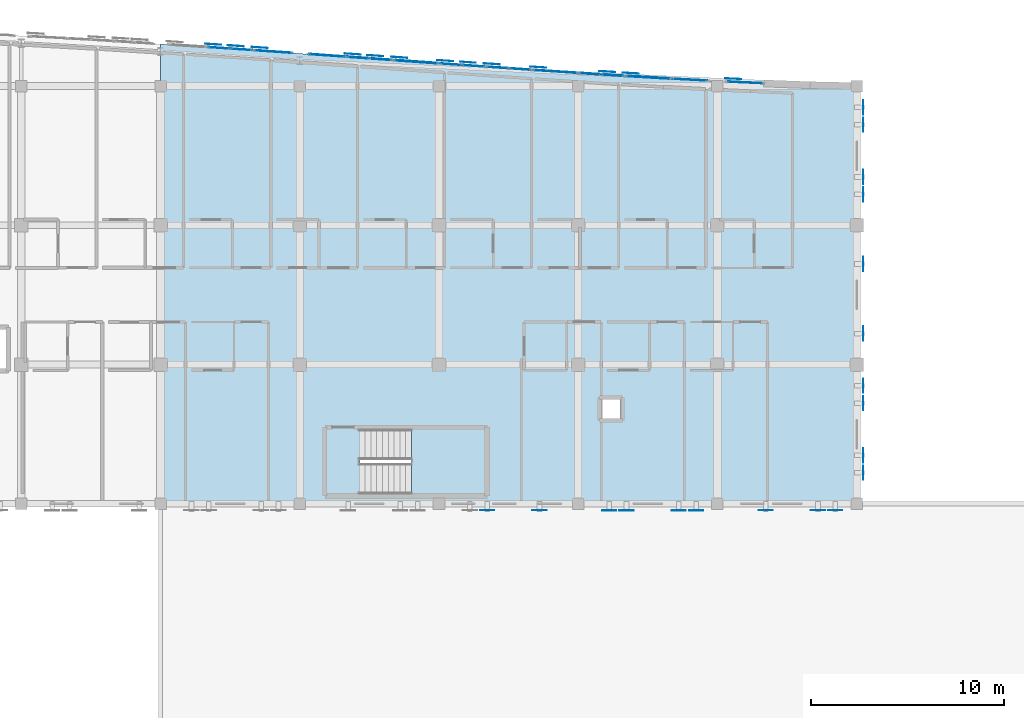
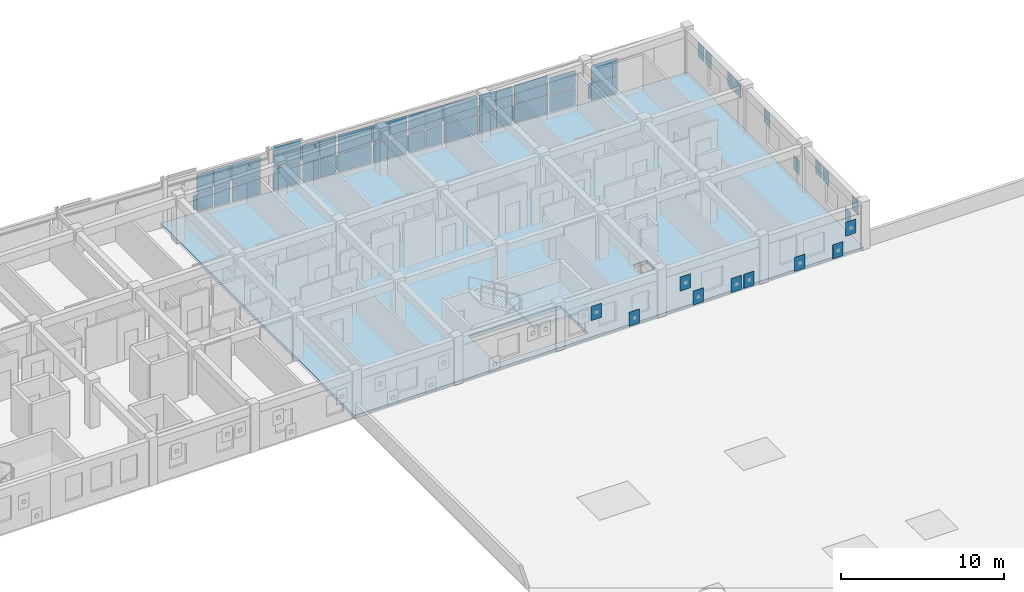
# One storey, part 36 of 50: 66 plates, 2 slabs, 13 elements without a shape of their own.
"""IFC4 building model written with IfcOpenShell, lengths in metres."""

from ifc_helpers import new_model, si_unit, direction, frame, origin, origin_2d, place, context, subcontext, project, spatial, polyline, rectangle, outline, extrude, material, layer, layer_set, type_object, element, aggregate, save


model = new_model("IFC4")

# Units and contexts
model_context = context("Model", 3, precision=1e-05, world=origin(), true_north=direction((0.0, 1.0)))
body_context = subcontext(model_context, "Body", "Model", "MODEL_VIEW")
ifc_project = project(units=[si_unit("LENGTHUNIT", "METRE"), si_unit("AREAUNIT", "SQUARE_METRE"), si_unit("VOLUMEUNIT", "CUBIC_METRE"), si_unit("PLANEANGLEUNIT", "RADIAN"), si_unit("MASSUNIT", "GRAM", prefix="KILO")], contexts=[model_context])

# Site, building, storey
site_placement = place(None, origin())
site = spatial("IfcSite", under=ifc_project, at=site_placement, CompositionType="ELEMENT")
building_placement = place(site_placement, origin())
building = spatial("IfcBuilding", under=site, at=building_placement, Name="Carrowvane Square Congress Hotel", CompositionType="ELEMENT")
storey_placement = place(building_placement, frame((0.0, 0.0, 22.800048828125)))
storey = spatial("IfcBuildingStorey", under=building, at=storey_placement, Name="L05", CompositionType="ELEMENT", Elevation=22.800048828125)

# Curtain wall, plates
ifc_material_1 = material(Name="Anodised aluminium", Category="aluminium")
ifc_layer_1 = layer(ifc_material_1, 0.174072265625)
ifc_layer_set_1 = layer_set([ifc_layer_1], Name="Anodised aluminium")
curtain_wall_type_1 = type_object("IfcCurtainWallType", Name="CW-SYS-2", PredefinedType="NOTDEFINED", material=ifc_layer_set_1)
curtain_wall_1_placement = place(storey_placement, origin())
curtain_wall_1 = element("IfcCurtainWall", 1, at=curtain_wall_1_placement, inside=storey, type_object=curtain_wall_type_1, Name="L05 unitised curtain wall 345", PredefinedType="NOTDEFINED")
ifc_material_2 = material(Name="Double-glazed low-E glass", Category="glass")
ifc_layer_2 = layer(ifc_material_2, 0.028076171875)
ifc_layer_set_2 = layer_set([ifc_layer_2], Name="Double-glazed low-E glass")
plate_type_1 = type_object("IfcPlateType", Name="CW-PAN-1", PredefinedType="CURTAIN_PANEL", material=ifc_layer_set_2)
plate_1_placement = place(storey_placement, frame((129.8173828125, 115.375, 0.06982421875), z_axis=(0.0, 0.0, 1.0), x_axis=(0.99769420292, -0.067869562107, 0.0)))
plate_1 = element("IfcPlate", 2, at=plate_1_placement, type_object=plate_type_1, Name="CW-2 panel 1.1", PredefinedType="CURTAIN_PANEL", context=body_context, shape_type="SweptSolid", body=[
    extrude(rectangle(XDim=1.09765625, YDim=0.028076171875, at=origin_2d()), origin(), (0.0, 0.0, 1.0), 1.35791015625),
])
plate_2_placement = place(storey_placement, frame((129.8173828125, 115.375, 1.497802734375), z_axis=(0.0, 0.0, 1.0), x_axis=(0.99769420292, -0.067869562107, 0.0)))
plate_2 = element("IfcPlate", 3, at=plate_2_placement, type_object=plate_type_1, Name="CW-2 panel 1.2", PredefinedType="CURTAIN_PANEL", context=body_context, shape_type="SweptSolid", body=[
    extrude(rectangle(XDim=1.09765625, YDim=0.028076171875, at=origin_2d()), origin(), (0.0, 0.0, 1.0), 1.35791015625),
])
plate_3_placement = place(storey_placement, frame((130.982421875, 115.295654296875, 0.06982421875), z_axis=(0.0, 0.0, 1.0), x_axis=(0.99769420292, -0.067869562107, 0.0)))
plate_3 = element("IfcPlate", 4, at=plate_3_placement, type_object=plate_type_1, Name="CW-2 panel 2.1", PredefinedType="CURTAIN_PANEL", context=body_context, shape_type="SweptSolid", body=[
    extrude(rectangle(XDim=1.09765625, YDim=0.028076171875, at=origin_2d()), origin(), (0.0, 0.0, 1.0), 1.35791015625),
])
plate_4_placement = place(storey_placement, frame((130.982421875, 115.295654296875, 1.497802734375), z_axis=(0.0, 0.0, 1.0), x_axis=(0.99769420292, -0.067869562107, 0.0)))
plate_4 = element("IfcPlate", 5, at=plate_4_placement, type_object=plate_type_1, Name="CW-2 panel 2.2", PredefinedType="CURTAIN_PANEL", context=body_context, shape_type="SweptSolid", body=[
    extrude(rectangle(XDim=1.09765625, YDim=0.028076171875, at=origin_2d()), origin(), (0.0, 0.0, 1.0), 1.35791015625),
])
aggregate(curtain_wall_1, [plate_1, plate_2, plate_3, plate_4])

ifc_material_3 = material(Name="Anodised aluminium", Category="aluminium")
ifc_layer_3 = layer(ifc_material_3, 0.23388671875)
ifc_layer_set_3 = layer_set([ifc_layer_3], Name="Anodised aluminium")
curtain_wall_type_2 = type_object("IfcCurtainWallType", Name="CW-SYS-7", PredefinedType="NOTDEFINED", material=ifc_layer_set_3)
curtain_wall_2_placement = place(storey_placement, origin())
curtain_wall_2 = element("IfcCurtainWall", 6, at=curtain_wall_2_placement, inside=storey, type_object=curtain_wall_type_2, Name="L05 unitised curtain wall 350", PredefinedType="NOTDEFINED")
plate_5_placement = place(storey_placement, frame((141.81494140625, 114.52783203125, 0.06005859375), z_axis=(0.0, 0.0, 1.0), x_axis=(0.997505697746, -0.070585996942, 0.0)))
plate_5 = element("IfcPlate", 7, at=plate_5_placement, type_object=plate_type_1, Name="CW-7 panel 1.1", PredefinedType="CURTAIN_PANEL", context=body_context, shape_type="SweptSolid", body=[
    extrude(rectangle(XDim=1.113037109375, YDim=0.028076171875, at=origin_2d()), origin(), (0.0, 0.0, 1.0), 1.372802734375),
])
plate_6_placement = place(storey_placement, frame((141.81494140625, 114.52783203125, 1.49267578125), z_axis=(0.0, 0.0, 1.0), x_axis=(0.997505697746, -0.070585996942, 0.0)))
plate_6 = element("IfcPlate", 8, at=plate_6_placement, type_object=plate_type_1, Name="CW-7 panel 1.2", PredefinedType="CURTAIN_PANEL", context=body_context, shape_type="SweptSolid", body=[
    extrude(rectangle(XDim=1.113037109375, YDim=0.028076171875, at=origin_2d()), origin(), (0.0, 0.0, 1.0), 1.372802734375),
])
plate_7_placement = place(storey_placement, frame((142.985107421875, 114.445068359375, 0.06005859375), z_axis=(0.0, 0.0, 1.0), x_axis=(0.997505697746, -0.070585996942, 0.0)))
plate_7 = element("IfcPlate", 9, at=plate_7_placement, type_object=plate_type_1, Name="CW-7 panel 2.1", PredefinedType="CURTAIN_PANEL", context=body_context, shape_type="SweptSolid", body=[
    extrude(rectangle(XDim=1.113037109375, YDim=0.028076171875, at=origin_2d()), origin(), (0.0, 0.0, 1.0), 1.372802734375),
])
plate_8_placement = place(storey_placement, frame((142.985107421875, 114.445068359375, 1.49267578125), z_axis=(0.0, 0.0, 1.0), x_axis=(0.997505697746, -0.070585996942, 0.0)))
plate_8 = element("IfcPlate", 10, at=plate_8_placement, type_object=plate_type_1, Name="CW-7 panel 2.2", PredefinedType="CURTAIN_PANEL", context=body_context, shape_type="SweptSolid", body=[
    extrude(rectangle(XDim=1.113037109375, YDim=0.028076171875, at=origin_2d()), origin(), (0.0, 0.0, 1.0), 1.372802734375),
])
aggregate(curtain_wall_2, [plate_5, plate_6, plate_7, plate_8])

ifc_material_4 = material(Name="Anodised aluminium", Category="aluminium")
ifc_layer_4 = layer(ifc_material_4, 0.197998046875)
ifc_layer_set_4 = layer_set([ifc_layer_4], Name="Anodised aluminium")
curtain_wall_type_3 = type_object("IfcCurtainWallType", Name="CW-SYS-4", PredefinedType="NOTDEFINED", material=ifc_layer_set_4)
curtain_wall_3_placement = place(storey_placement, origin())
curtain_wall_3 = element("IfcCurtainWall", 11, at=curtain_wall_3_placement, inside=storey, type_object=curtain_wall_type_3, Name="L05 unitised curtain wall 355", PredefinedType="NOTDEFINED")
plate_9_placement = place(storey_placement, frame((154.16845703125, 113.7294921875, 0.06982421875), z_axis=(0.0, 0.0, 1.0), x_axis=(0.998566981227, -0.053516203185, 0.0)))
plate_9 = element("IfcPlate", 12, at=plate_9_placement, type_object=plate_type_1, Name="CW-4 panel 1.1", PredefinedType="CURTAIN_PANEL", context=body_context, shape_type="SweptSolid", body=[
    extrude(rectangle(XDim=1.799560546875, YDim=0.028076171875, at=origin_2d()), origin(), (0.0, 0.0, 1.0), 1.262451171875),
])
plate_10_placement = place(storey_placement, frame((154.16845703125, 113.7294921875, 1.40234375), z_axis=(0.0, 0.0, 1.0), x_axis=(0.998566981227, -0.053516203185, 0.0)))
plate_10 = element("IfcPlate", 13, at=plate_10_placement, type_object=plate_type_1, Name="CW-4 panel 1.2", PredefinedType="CURTAIN_PANEL", context=body_context, shape_type="SweptSolid", body=[
    extrude(rectangle(XDim=1.799560546875, YDim=0.028076171875, at=origin_2d()), origin(), (0.0, 0.0, 1.0), 1.262451171875),
])
aggregate(curtain_wall_3, [plate_9, plate_10])

ifc_material_5 = material(Name="Anodised aluminium", Category="aluminium")
ifc_layer_5 = layer(ifc_material_5, 0.18603515625)
ifc_layer_set_5 = layer_set([ifc_layer_5], Name="Anodised aluminium")
curtain_wall_type_4 = type_object("IfcCurtainWallType", Name="CW-SYS-3", PredefinedType="NOTDEFINED", material=ifc_layer_set_5)
curtain_wall_4_placement = place(storey_placement, origin())
curtain_wall_4 = element("IfcCurtainWall", 14, at=curtain_wall_4_placement, inside=storey, type_object=curtain_wall_type_4, Name="L05 unitised curtain wall 346", PredefinedType="NOTDEFINED")
ifc_material_6 = material(Name="Double-glazed low-E glass", Category="glass")
ifc_layer_6 = layer(ifc_material_6, 0.031982421875)
ifc_layer_set_6 = layer_set([ifc_layer_6], Name="Double-glazed low-E glass")
plate_type_2 = type_object("IfcPlateType", Name="CW-PAN-2", PredefinedType="CURTAIN_PANEL", material=ifc_layer_set_6)
plate_11_placement = place(storey_placement, frame((132.621337890625, 115.182373046875, 0.06005859375), z_axis=(0.0, 0.0, 1.0), x_axis=(0.997566119277, -0.069726879118, 0.0)))
plate_11 = element("IfcPlate", 15, at=plate_11_placement, type_object=plate_type_2, Name="CW-3 panel 1.1", PredefinedType="CURTAIN_PANEL", context=body_context, shape_type="SweptSolid", body=[
    extrude(rectangle(XDim=1.927734375, YDim=0.031982421875, at=origin_2d()), origin(), (0.0, 0.0, 1.0), 1.372802734375),
])
plate_12_placement = place(storey_placement, frame((132.621337890625, 115.182373046875, 1.49267578125), z_axis=(0.0, 0.0, 1.0), x_axis=(0.997566119277, -0.069726879118, 0.0)))
plate_12 = element("IfcPlate", 16, at=plate_12_placement, type_object=plate_type_2, Name="CW-3 panel 1.2", PredefinedType="CURTAIN_PANEL", context=body_context, shape_type="SweptSolid", body=[
    extrude(rectangle(XDim=1.927734375, YDim=0.031982421875, at=origin_2d()), origin(), (0.0, 0.0, 1.0), 1.372802734375),
])
aggregate(curtain_wall_4, [plate_11, plate_12])

ifc_material_7 = material(Name="Anodised aluminium", Category="aluminium")
ifc_layer_7 = layer(ifc_material_7, 0.24609375)
ifc_layer_set_7 = layer_set([ifc_layer_7], Name="Anodised aluminium")
curtain_wall_type_5 = type_object("IfcCurtainWallType", Name="CW-SYS-8", PredefinedType="NOTDEFINED", material=ifc_layer_set_7)
curtain_wall_5_placement = place(storey_placement, origin())
curtain_wall_5 = element("IfcCurtainWall", 17, at=curtain_wall_5_placement, inside=storey, type_object=curtain_wall_type_5, Name="L05 unitised curtain wall 351", PredefinedType="NOTDEFINED")
plate_13_placement = place(storey_placement, frame((144.217529296875, 114.358642578125, 0.06982421875), z_axis=(0.0, 0.0, 1.0), x_axis=(0.997617619706, -0.068986120725, 0.0)))
plate_13 = element("IfcPlate", 18, at=plate_13_placement, type_object=plate_type_2, Name="CW-8 panel 1.1", PredefinedType="CURTAIN_PANEL", context=body_context, shape_type="SweptSolid", body=[
    extrude(rectangle(XDim=1.097900390625, YDim=0.031982421875, at=origin_2d()), origin(), (0.0, 0.0, 1.0), 1.35791015625),
])
plate_14_placement = place(storey_placement, frame((144.217529296875, 114.358642578125, 1.497802734375), z_axis=(0.0, 0.0, 1.0), x_axis=(0.997617619706, -0.068986120725, 0.0)))
plate_14 = element("IfcPlate", 19, at=plate_14_placement, type_object=plate_type_2, Name="CW-8 panel 1.2", PredefinedType="CURTAIN_PANEL", context=body_context, shape_type="SweptSolid", body=[
    extrude(rectangle(XDim=1.097900390625, YDim=0.031982421875, at=origin_2d()), origin(), (0.0, 0.0, 1.0), 1.35791015625),
])
plate_15_placement = place(storey_placement, frame((145.382568359375, 114.278076171875, 0.06982421875), z_axis=(0.0, 0.0, 1.0), x_axis=(0.997617619706, -0.068986120725, 0.0)))
plate_15 = element("IfcPlate", 20, at=plate_15_placement, type_object=plate_type_2, Name="CW-8 panel 2.1", PredefinedType="CURTAIN_PANEL", context=body_context, shape_type="SweptSolid", body=[
    extrude(rectangle(XDim=1.097900390625, YDim=0.031982421875, at=origin_2d()), origin(), (0.0, 0.0, 1.0), 1.35791015625),
])
plate_16_placement = place(storey_placement, frame((145.382568359375, 114.278076171875, 1.497802734375), z_axis=(0.0, 0.0, 1.0), x_axis=(0.997617619706, -0.068986120725, 0.0)))
plate_16 = element("IfcPlate", 21, at=plate_16_placement, type_object=plate_type_2, Name="CW-8 panel 2.2", PredefinedType="CURTAIN_PANEL", context=body_context, shape_type="SweptSolid", body=[
    extrude(rectangle(XDim=1.097900390625, YDim=0.031982421875, at=origin_2d()), origin(), (0.0, 0.0, 1.0), 1.35791015625),
])
aggregate(curtain_wall_5, [plate_13, plate_14, plate_15, plate_16])

ifc_material_8 = material(Name="Anodised aluminium", Category="aluminium")
ifc_layer_8 = layer(ifc_material_8, 0.2099609375)
ifc_layer_set_8 = layer_set([ifc_layer_8], Name="Anodised aluminium")
curtain_wall_type_6 = type_object("IfcCurtainWallType", Name="CW-SYS-5", PredefinedType="NOTDEFINED", material=ifc_layer_set_8)
curtain_wall_6_placement = place(storey_placement, origin())
curtain_wall_6 = element("IfcCurtainWall", 22, at=curtain_wall_6_placement, inside=storey, type_object=curtain_wall_type_6, Name="L05 unitised curtain wall 356", PredefinedType="NOTDEFINED")
plate_17_placement = place(storey_placement, frame((157.044189453125, 113.58544921875, 0.06005859375), z_axis=(0.0, 0.0, 1.0), x_axis=(0.998917263935, -0.046522035775, 0.0)))
plate_17 = element("IfcPlate", 23, at=plate_17_placement, type_object=plate_type_2, Name="CW-5 panel 1.1", PredefinedType="CURTAIN_PANEL", context=body_context, shape_type="SweptSolid", body=[
    extrude(rectangle(XDim=1.79345703125, YDim=0.031982421875, at=origin_2d()), origin(), (0.0, 0.0, 1.0), 1.277587890625),
])
plate_18_placement = place(storey_placement, frame((157.044189453125, 113.58544921875, 1.3974609375), z_axis=(0.0, 0.0, 1.0), x_axis=(0.998917263935, -0.046522035775, 0.0)))
plate_18 = element("IfcPlate", 24, at=plate_18_placement, type_object=plate_type_2, Name="CW-5 panel 1.2", PredefinedType="CURTAIN_PANEL", context=body_context, shape_type="SweptSolid", body=[
    extrude(rectangle(XDim=1.79345703125, YDim=0.031982421875, at=origin_2d()), origin(), (0.0, 0.0, 1.0), 1.277587890625),
])
aggregate(curtain_wall_6, [plate_17, plate_18])

curtain_wall_7_placement = place(storey_placement, origin())
curtain_wall_7 = element("IfcCurtainWall", 25, at=curtain_wall_7_placement, inside=storey, type_object=curtain_wall_type_3, Name="L05 unitised curtain wall 347", PredefinedType="NOTDEFINED")
ifc_material_9 = material(Name="Double-glazed low-E glass", Category="glass")
ifc_layer_9 = layer(ifc_material_9, 0.035888671875)
ifc_layer_set_9 = layer_set([ifc_layer_9], Name="Double-glazed low-E glass")
plate_type_3 = type_object("IfcPlateType", Name="CW-PAN-3", PredefinedType="CURTAIN_PANEL", material=ifc_layer_set_9)
plate_19_placement = place(storey_placement, frame((135.4052734375, 114.986083984375, 0.06982421875), z_axis=(0.0, 0.0, 1.0), x_axis=(0.997479171673, -0.070959862453, 0.0)))
plate_19 = element("IfcPlate", 26, at=plate_19_placement, type_object=plate_type_3, Name="CW-4 panel 1.1", PredefinedType="CURTAIN_PANEL", context=body_context, shape_type="SweptSolid", body=[
    extrude(rectangle(XDim=1.8544921875, YDim=0.035888671875, at=origin_2d()), origin(), (0.0, 0.0, 1.0), 1.570068359375),
])
plate_20_placement = place(storey_placement, frame((135.4052734375, 114.986083984375, 1.7099609375), z_axis=(0.0, 0.0, 1.0), x_axis=(0.997479171673, -0.070959862453, 0.0)))
plate_20 = element("IfcPlate", 27, at=plate_20_placement, type_object=plate_type_3, Name="CW-4 panel 1.2", PredefinedType="CURTAIN_PANEL", context=body_context, shape_type="SweptSolid", body=[
    extrude(rectangle(XDim=1.8544921875, YDim=0.035888671875, at=origin_2d()), origin(), (0.0, 0.0, 1.0), 1.570068359375),
])
aggregate(curtain_wall_7, [plate_19, plate_20])

ifc_material_10 = material(Name="Anodised aluminium", Category="aluminium")
ifc_layer_10 = layer(ifc_material_10, 0.162109375)
ifc_layer_set_10 = layer_set([ifc_layer_10], Name="Anodised aluminium")
curtain_wall_type_7 = type_object("IfcCurtainWallType", Name="CW-SYS-1", PredefinedType="NOTDEFINED", material=ifc_layer_set_10)
curtain_wall_8_placement = place(storey_placement, origin())
curtain_wall_8 = element("IfcCurtainWall", 28, at=curtain_wall_8_placement, inside=storey, type_object=curtain_wall_type_7, Name="L05 unitised curtain wall 352", PredefinedType="NOTDEFINED")
plate_21_placement = place(storey_placement, frame((147.199951171875, 114.155517578125, 0.06005859375), z_axis=(0.0, 0.0, 1.0), x_axis=(0.997781495544, -0.06657392244, 0.0)))
plate_21 = element("IfcPlate", 29, at=plate_21_placement, type_object=plate_type_3, Name="CW-1 panel 1.1", PredefinedType="CURTAIN_PANEL", context=body_context, shape_type="SweptSolid", body=[
    extrude(rectangle(XDim=2.285400390625, YDim=0.035888671875, at=origin_2d()), origin(), (0.0, 0.0, 1.0), 1.372802734375),
])
plate_22_placement = place(storey_placement, frame((147.199951171875, 114.155517578125, 1.49267578125), z_axis=(0.0, 0.0, 1.0), x_axis=(0.997781495544, -0.06657392244, 0.0)))
plate_22 = element("IfcPlate", 30, at=plate_22_placement, type_object=plate_type_3, Name="CW-1 panel 1.2", PredefinedType="CURTAIN_PANEL", context=body_context, shape_type="SweptSolid", body=[
    extrude(rectangle(XDim=2.285400390625, YDim=0.035888671875, at=origin_2d()), origin(), (0.0, 0.0, 1.0), 1.372802734375),
])
aggregate(curtain_wall_8, [plate_21, plate_22])

curtain_wall_9_placement = place(storey_placement, origin())
curtain_wall_9 = element("IfcCurtainWall", 31, at=curtain_wall_9_placement, inside=storey, type_object=curtain_wall_type_6, Name="L05 unitised curtain wall 348", PredefinedType="NOTDEFINED")
ifc_material_11 = material(Name="Double-glazed low-E glass", Category="glass")
ifc_layer_11 = layer(ifc_material_11, 0.0419921875)
ifc_layer_set_11 = layer_set([ifc_layer_11], Name="Double-glazed low-E glass")
plate_type_4 = type_object("IfcPlateType", Name="CW-PAN-4", PredefinedType="CURTAIN_PANEL", material=ifc_layer_set_11)
plate_23_placement = place(storey_placement, frame((137.014892578125, 114.87109375, 0.06005859375), z_axis=(0.0, 0.0, 1.0), x_axis=(0.997438322595, -0.071531759512, 0.0)))
plate_23 = element("IfcPlate", 32, at=plate_23_placement, type_object=plate_type_4, Name="CW-5 panel 1.1", PredefinedType="CURTAIN_PANEL", context=body_context, shape_type="SweptSolid", body=[
    extrude(rectangle(XDim=1.113037109375, YDim=0.0419921875, at=origin_2d()), origin(), (0.0, 0.0, 1.0), 1.372802734375),
])
plate_24_placement = place(storey_placement, frame((137.014892578125, 114.87109375, 1.49267578125), z_axis=(0.0, 0.0, 1.0), x_axis=(0.997438322595, -0.071531759512, 0.0)))
plate_24 = element("IfcPlate", 33, at=plate_24_placement, type_object=plate_type_4, Name="CW-5 panel 1.2", PredefinedType="CURTAIN_PANEL", context=body_context, shape_type="SweptSolid", body=[
    extrude(rectangle(XDim=1.113037109375, YDim=0.0419921875, at=origin_2d()), origin(), (0.0, 0.0, 1.0), 1.372802734375),
])
plate_25_placement = place(storey_placement, frame((138.18505859375, 114.787109375, 0.06005859375), z_axis=(0.0, 0.0, 1.0), x_axis=(0.997438322595, -0.071531759512, 0.0)))
plate_25 = element("IfcPlate", 34, at=plate_25_placement, type_object=plate_type_4, Name="CW-5 panel 2.1", PredefinedType="CURTAIN_PANEL", context=body_context, shape_type="SweptSolid", body=[
    extrude(rectangle(XDim=1.113037109375, YDim=0.0419921875, at=origin_2d()), origin(), (0.0, 0.0, 1.0), 1.372802734375),
])
plate_26_placement = place(storey_placement, frame((138.18505859375, 114.787109375, 1.49267578125), z_axis=(0.0, 0.0, 1.0), x_axis=(0.997438322595, -0.071531759512, 0.0)))
plate_26 = element("IfcPlate", 35, at=plate_26_placement, type_object=plate_type_4, Name="CW-5 panel 2.2", PredefinedType="CURTAIN_PANEL", context=body_context, shape_type="SweptSolid", body=[
    extrude(rectangle(XDim=1.113037109375, YDim=0.0419921875, at=origin_2d()), origin(), (0.0, 0.0, 1.0), 1.372802734375),
])
aggregate(curtain_wall_9, [plate_23, plate_24, plate_25, plate_26])

curtain_wall_10_placement = place(storey_placement, origin())
curtain_wall_10 = element("IfcCurtainWall", 36, at=curtain_wall_10_placement, inside=storey, type_object=curtain_wall_type_1, Name="L05 unitised curtain wall 353", PredefinedType="NOTDEFINED")
plate_27_placement = place(storey_placement, frame((149.017578125, 114.0361328125, 0.06982421875), z_axis=(0.0, 0.0, 1.0), x_axis=(0.997996225303, -0.063273487972, 0.0)))
plate_27 = element("IfcPlate", 37, at=plate_27_placement, type_object=plate_type_4, Name="CW-2 panel 1.1", PredefinedType="CURTAIN_PANEL", context=body_context, shape_type="SweptSolid", body=[
    extrude(rectangle(XDim=1.097412109375, YDim=0.0419921875, at=origin_2d()), origin(), (0.0, 0.0, 1.0), 1.35791015625),
])
plate_28_placement = place(storey_placement, frame((149.017578125, 114.0361328125, 1.497802734375), z_axis=(0.0, 0.0, 1.0), x_axis=(0.997996225303, -0.063273487972, 0.0)))
plate_28 = element("IfcPlate", 38, at=plate_28_placement, type_object=plate_type_4, Name="CW-2 panel 1.2", PredefinedType="CURTAIN_PANEL", context=body_context, shape_type="SweptSolid", body=[
    extrude(rectangle(XDim=1.097412109375, YDim=0.0419921875, at=origin_2d()), origin(), (0.0, 0.0, 1.0), 1.35791015625),
])
plate_29_placement = place(storey_placement, frame((150.1826171875, 113.96240234375, 0.06982421875), z_axis=(0.0, 0.0, 1.0), x_axis=(0.997996225303, -0.063273487972, 0.0)))
plate_29 = element("IfcPlate", 39, at=plate_29_placement, type_object=plate_type_4, Name="CW-2 panel 2.1", PredefinedType="CURTAIN_PANEL", context=body_context, shape_type="SweptSolid", body=[
    extrude(rectangle(XDim=1.097412109375, YDim=0.0419921875, at=origin_2d()), origin(), (0.0, 0.0, 1.0), 1.35791015625),
])
plate_30_placement = place(storey_placement, frame((150.1826171875, 113.96240234375, 1.497802734375), z_axis=(0.0, 0.0, 1.0), x_axis=(0.997996225303, -0.063273487972, 0.0)))
plate_30 = element("IfcPlate", 40, at=plate_30_placement, type_object=plate_type_4, Name="CW-2 panel 2.2", PredefinedType="CURTAIN_PANEL", context=body_context, shape_type="SweptSolid", body=[
    extrude(rectangle(XDim=1.097412109375, YDim=0.0419921875, at=origin_2d()), origin(), (0.0, 0.0, 1.0), 1.35791015625),
])
aggregate(curtain_wall_10, [plate_27, plate_28, plate_29, plate_30])

ifc_material_12 = material(Name="Anodised aluminium", Category="aluminium")
ifc_layer_12 = layer(ifc_material_12, 0.221923828125)
ifc_layer_set_12 = layer_set([ifc_layer_12], Name="Anodised aluminium")
curtain_wall_type_8 = type_object("IfcCurtainWallType", Name="CW-SYS-6", PredefinedType="NOTDEFINED", material=ifc_layer_set_12)
curtain_wall_11_placement = place(storey_placement, origin())
curtain_wall_11 = element("IfcCurtainWall", 41, at=curtain_wall_11_placement, inside=storey, type_object=curtain_wall_type_8, Name="L05 unitised curtain wall 349", PredefinedType="NOTDEFINED")
ifc_material_13 = material(Name="Double-glazed low-E glass", Category="glass")
ifc_layer_13 = layer(ifc_material_13, 0.048095703125)
ifc_layer_set_13 = layer_set([ifc_layer_13], Name="Double-glazed low-E glass")
plate_type_5 = type_object("IfcPlateType", Name="CW-PAN-5", PredefinedType="CURTAIN_PANEL", material=ifc_layer_set_13)
plate_31_placement = place(storey_placement, frame((140.0, 114.6572265625, 0.06982421875), z_axis=(0.0, 0.0, 1.0), x_axis=(0.997446152826, -0.071422490945, 0.0)))
plate_31 = element("IfcPlate", 42, at=plate_31_placement, type_object=plate_type_5, Name="CW-6 panel 1.1", PredefinedType="CURTAIN_PANEL", context=body_context, shape_type="SweptSolid", body=[
    extrude(rectangle(XDim=2.26611328125, YDim=0.048095703125, at=origin_2d()), origin(), (0.0, 0.0, 1.0), 1.35791015625),
])
plate_32_placement = place(storey_placement, frame((140.0, 114.6572265625, 1.497802734375), z_axis=(0.0, 0.0, 1.0), x_axis=(0.997446152826, -0.071422490945, 0.0)))
plate_32 = element("IfcPlate", 43, at=plate_32_placement, type_object=plate_type_5, Name="CW-6 panel 1.2", PredefinedType="CURTAIN_PANEL", context=body_context, shape_type="SweptSolid", body=[
    extrude(rectangle(XDim=2.26611328125, YDim=0.048095703125, at=origin_2d()), origin(), (0.0, 0.0, 1.0), 1.35791015625),
])
aggregate(curtain_wall_11, [plate_31, plate_32])

curtain_wall_12_placement = place(storey_placement, origin())
curtain_wall_12 = element("IfcCurtainWall", 44, at=curtain_wall_12_placement, inside=storey, type_object=curtain_wall_type_4, Name="L05 unitised curtain wall 354", PredefinedType="NOTDEFINED")
plate_33_placement = place(storey_placement, frame((152.0, 113.852294921875, 0.06005859375), z_axis=(0.0, 0.0, 1.0), x_axis=(0.99825866099, -0.058988522254, 0.0)))
plate_33 = element("IfcPlate", 45, at=plate_33_placement, type_object=plate_type_5, Name="CW-3 panel 1.1", PredefinedType="CURTAIN_PANEL", context=body_context, shape_type="SweptSolid", body=[
    extrude(rectangle(XDim=2.2841796875, YDim=0.048095703125, at=origin_2d()), origin(), (0.0, 0.0, 1.0), 1.372802734375),
])
plate_34_placement = place(storey_placement, frame((152.0, 113.852294921875, 1.49267578125), z_axis=(0.0, 0.0, 1.0), x_axis=(0.99825866099, -0.058988522254, 0.0)))
plate_34 = element("IfcPlate", 46, at=plate_34_placement, type_object=plate_type_5, Name="CW-3 panel 1.2", PredefinedType="CURTAIN_PANEL", context=body_context, shape_type="SweptSolid", body=[
    extrude(rectangle(XDim=2.2841796875, YDim=0.048095703125, at=origin_2d()), origin(), (0.0, 0.0, 1.0), 1.372802734375),
])
aggregate(curtain_wall_12, [plate_33, plate_34])

# Plates
ifc_material_14 = material(Name="Champagne-gold anodised aluminium", Category="aluminium")
ifc_layer_14 = layer(ifc_material_14, 0.011962890625)
ifc_layer_set_14 = layer_set([ifc_layer_14], Name="Champagne-gold anodised aluminium")
plate_type_6 = type_object("IfcPlateType", Name="PLT-PIX-GOLD12", PredefinedType="SHEET", material=ifc_layer_set_14)
for number, where, z_axis, x_axis, name in (
    (47, (129.535400390625, 115.560546875, 0.119873046875), (0.0, 0.0, 1.0), (0.9976944394, -0.067866085713, 0.0), "Champagne-gold pixel screen plate 435"),
    (48, (130.700439453125, 115.481201171875, 1.58984375), (0.0, 0.0, 1.0), (0.9976944394, -0.067866085713, 0.0), "Champagne-gold pixel screen plate 436"),
    (49, (139.1357421875, 114.885498046875, 0.119873046875), (0.0, 0.0, 1.0), (0.997446326449, -0.071420066188, 0.0), "Champagne-gold pixel screen plate 440"),
    (50, (143.935546875, 114.544677734375, 0.119873046875), (0.0, 0.0, 1.0), (0.99761759323, -0.068986503591, 0.0), "Champagne-gold pixel screen plate 443"),
    (51, (149.899658203125, 114.146484375, 1.58984375), (0.0, 0.0, 1.0), (0.997996022269, -0.063276690295, 0.0), "Champagne-gold pixel screen plate 445"),
):
    element("IfcPlate", number, at=place(storey_placement, frame(where, z_axis=z_axis, x_axis=x_axis)), inside=storey, type_object=plate_type_6, Name=name, PredefinedType="SHEET", context=body_context, shape_type="SweptSolid", body=[
        extrude(rectangle(XDim=0.827880859375, YDim=0.011962890625, at=origin_2d()), origin(), (0.0, 0.0, 1.0), 1.1201171875),
    ])
for number, where, z_axis, x_axis, name in (
    (52, (163.14599609375, 112.300048828125, 1.509765625), (0.0, 0.0, 1.0), (0.0, -1.0, 0.0), "Champagne-gold pixel screen plate S-448"),
    (53, (163.14599609375, 111.39990234375, 1.509765625), (0.0, 0.0, 1.0), (0.0, -1.0, 0.0), "Champagne-gold pixel screen plate S-449"),
    (54, (163.14599609375, 108.699951171875, 1.509765625), (0.0, 0.0, 1.0), (0.0, -1.0, 0.0), "Champagne-gold pixel screen plate S-450"),
    (55, (163.14599609375, 107.800048828125, 1.509765625), (0.0, 0.0, 1.0), (0.0, -1.0, 0.0), "Champagne-gold pixel screen plate S-451"),
    (56, (163.14599609375, 97.89990234375, 1.509765625), (0.0, 0.0, 1.0), (0.0, -1.0, 0.0), "Champagne-gold pixel screen plate S-454"),
    (57, (163.14599609375, 97.0, 1.509765625), (0.0, 0.0, 1.0), (0.0, -1.0, 0.0), "Champagne-gold pixel screen plate S-455"),
    (58, (163.14599609375, 94.300048828125, 0.15478515625), (0.0, 0.0, 1.0), (0.0, -1.0, 0.0), "Champagne-gold pixel screen plate S-456"),
    (59, (163.14599609375, 93.39990234375, 1.509765625), (0.0, 0.0, 1.0), (0.0, -1.0, 0.0), "Champagne-gold pixel screen plate S-457"),
    (60, (154.5, 91.4541015625, 0.15478515625), (0.0, 0.0, 1.0), (-1.0, 0.0, 0.0), "Champagne-gold pixel screen plate S-461"),
    (61, (153.60009765625, 91.4541015625, 0.15478515625), (0.0, 0.0, 1.0), (-1.0, 0.0, 0.0), "Champagne-gold pixel screen plate S-462"),
    (62, (150.89990234375, 91.4541015625, 0.15478515625), (0.0, 0.0, 1.0), (-1.0, 0.0, 0.0), "Champagne-gold pixel screen plate S-463"),
    (63, (150.0, 91.4541015625, 1.52490234375), (0.0, 0.0, 1.0), (-1.0, 0.0, 0.0), "Champagne-gold pixel screen plate S-464"),
):
    element("IfcPlate", number, at=place(storey_placement, frame(where, z_axis=z_axis, x_axis=x_axis)), inside=storey, type_object=plate_type_6, Name=name, PredefinedType="SHEET", context=body_context, shape_type="SweptSolid", body=[
        extrude(rectangle(XDim=0.738037109375, YDim=0.011962890625, at=origin_2d()), origin(), (0.0, 0.0, 1.0), 1.050048828125),
    ])
ifc_material_15 = material(Name="Champagne-gold anodised aluminium", Category="aluminium")
ifc_layer_15 = layer(ifc_material_15, 0.008056640625)
ifc_layer_set_15 = layer_set([ifc_layer_15], Name="Champagne-gold anodised aluminium")
plate_type_7 = type_object("IfcPlateType", Name="PLT-PIX-GOLD8", PredefinedType="SHEET", material=ifc_layer_set_15)
for number, where, z_axis, x_axis, name in (
    (64, (131.930419921875, 115.39501953125, 1.58984375), (0.0, 0.0, 1.0), (0.997566258056, -0.069724893606, 0.0), "Champagne-gold pixel screen plate 437"),
    (65, (136.730712890625, 115.055908203125, 1.58984375), (0.0, 0.0, 1.0), (0.997438267187, -0.071532532122, 0.0), "Champagne-gold pixel screen plate 438"),
    (66, (137.90087890625, 114.971923828125, 1.58984375), (0.0, 0.0, 1.0), (0.997438267187, -0.071532532122, 0.0), "Champagne-gold pixel screen plate 439"),
    (67, (141.530517578125, 114.71240234375, 1.58984375), (0.0, 0.0, 1.0), (0.997505756275, -0.070585169822, 0.0), "Champagne-gold pixel screen plate 441"),
    (68, (142.70068359375, 114.62939453125, 1.58984375), (0.0, 0.0, 1.0), (0.997505756275, -0.070585169822, 0.0), "Champagne-gold pixel screen plate 442"),
    (69, (146.330078125, 114.3779296875, 1.58984375), (0.0, 0.0, 1.0), (0.997781458784, -0.066574473385, 0.0), "Champagne-gold pixel screen plate 444"),
    (70, (151.12890625, 114.068115234375, 0.119873046875), (0.0, 0.0, 1.0), (0.998258866948, -0.05898503675, 0.0), "Champagne-gold pixel screen plate 446"),
    (71, (156.415771484375, 113.77880859375, 0.119873046875), (0.0, 0.0, 1.0), (0.99891730083, -0.046521243556, 0.0), "Champagne-gold pixel screen plate 447"),
):
    element("IfcPlate", number, at=place(storey_placement, frame(where, z_axis=z_axis, x_axis=x_axis)), inside=storey, type_object=plate_type_7, Name=name, PredefinedType="SHEET", context=body_context, shape_type="SweptSolid", body=[
        extrude(rectangle(XDim=0.827880859375, YDim=0.008056640625, at=origin_2d()), origin(), (0.0, 0.0, 1.0), 1.1201171875),
    ])
for number, where, z_axis, x_axis, name in (
    (72, (163.14404296875, 104.199951171875, 1.509765625), (0.0, 0.0, 1.0), (0.0, -1.0, 0.0), "Champagne-gold pixel screen plate S-452"),
    (73, (163.14404296875, 100.60009765625, 0.15478515625), (0.0, 0.0, 1.0), (0.0, -1.0, 0.0), "Champagne-gold pixel screen plate S-453"),
    (74, (161.699951171875, 91.4560546875, 1.52490234375), (0.0, 0.0, 1.0), (-1.0, 0.0, 0.0), "Champagne-gold pixel screen plate S-458"),
    (75, (160.800048828125, 91.4560546875, 0.15478515625), (0.0, 0.0, 1.0), (-1.0, 0.0, 0.0), "Champagne-gold pixel screen plate S-459"),
    (76, (158.10009765625, 91.4560546875, 0.15478515625), (0.0, 0.0, 1.0), (-1.0, 0.0, 0.0), "Champagne-gold pixel screen plate S-460"),
    (77, (146.39990234375, 91.4560546875, 0.15478515625), (0.0, 0.0, 1.0), (-1.0, 0.0, 0.0), "Champagne-gold pixel screen plate S-465"),
    (78, (143.699951171875, 91.4560546875, 1.52490234375), (0.0, 0.0, 1.0), (-1.0, 0.0, 0.0), "Champagne-gold pixel screen plate S-466"),
):
    element("IfcPlate", number, at=place(storey_placement, frame(where, z_axis=z_axis, x_axis=x_axis)), inside=storey, type_object=plate_type_7, Name=name, PredefinedType="SHEET", context=body_context, shape_type="SweptSolid", body=[
        extrude(rectangle(XDim=0.738037109375, YDim=0.008056640625, at=origin_2d()), origin(), (0.0, 0.0, 1.0), 1.050048828125),
    ])

# Slab
ifc_material_16 = material(Name="Concrete C35/45", Category="concrete")
ifc_layer_16 = layer(ifc_material_16, 0.25)
ifc_layer_set_16 = layer_set([ifc_layer_16], Name="Concrete C35/45")
slab_type_1 = type_object("IfcSlabType", Name="SLB-FLR-250", PredefinedType="FLOOR", material=ifc_layer_set_16)
slab_1_placement = place(storey_placement, frame((0.0, 0.0, -0.25)))
element("IfcSlab", 79, at=slab_1_placement, inside=storey, type_object=slab_type_1, Name="L05 Hotel Wing slab panel 3", PredefinedType="FLOOR", context=body_context, shape_type="SweptSolid", body=[
    extrude(outline(polyline([(126.800048828125, 91.800048828125), (162.800048828125, 91.800048828125), (162.800048828125, 113.39990234375), (160.39990234375, 113.45166015625), (158.0, 113.541015625), (155.60009765625, 113.65283203125), (153.199951171875, 113.78125), (150.800048828125, 113.923095703125), (148.39990234375, 114.075439453125), (146.0, 114.235595703125), (143.60009765625, 114.4013671875), (141.199951171875, 114.5712890625), (138.800048828125, 114.7431640625), (136.39990234375, 114.915283203125), (134.0, 115.0859375), (131.60009765625, 115.253662109375), (129.199951171875, 115.4169921875), (126.800048828125, 115.57421875), (126.800048828125, 91.800048828125)]), holes=[polyline([(137.1201171875, 92.300048828125), (143.60009765625, 92.300048828125), (143.60009765625, 95.659912109375), (137.1201171875, 95.659912109375), (137.1201171875, 92.300048828125)]), polyline([(149.60009765625, 96.199951171875), (150.60009765625, 96.199951171875), (150.60009765625, 97.199951171875), (149.60009765625, 97.199951171875), (149.60009765625, 96.199951171875)])]), origin(), (0.0, 0.0, 1.0), 0.25),
])

# Stair, slab
ifc_material_17 = material(Name="Concrete C35/45", Category="concrete")
stair_type = type_object("IfcStairType", Name="STR-DOG-02", PredefinedType="HALF_TURN_STAIR", material=ifc_material_17)
stair_placement = place(storey_placement, origin())
stair = element("IfcStair", 80, at=stair_placement, inside=storey, type_object=stair_type, Name="L05 East Hotel Wing Escape Stair", PredefinedType="HALF_TURN_STAIR")
ifc_material_18 = material(Name="Concrete C35/45", Category="concrete")
ifc_layer_17 = layer(ifc_material_18, 0.199951171875)
ifc_layer_set_17 = layer_set([ifc_layer_17], Name="Concrete C35/45")
slab_type_2 = type_object("IfcSlabType", Name="SLB-LND-200", PredefinedType="LANDING", material=ifc_layer_set_17)
slab_2_placement = place(storey_placement, frame((0.0, 0.0, 1.599853515625)))
slab_2 = element("IfcSlab", 81, at=slab_2_placement, type_object=slab_type_2, Name="ST12 landing 1", PredefinedType="LANDING", context=body_context, shape_type="SweptSolid", body=[
    extrude(outline(polyline([(139.780029296875, 92.300048828125), (143.60009765625, 92.300048828125), (143.60009765625, 95.659912109375), (139.780029296875, 95.659912109375), (139.780029296875, 92.300048828125)])), origin(), (0.0, 0.0, 1.0), 0.2001953125),
])
aggregate(stair, [slab_2])

save(model, "model.ifc")
